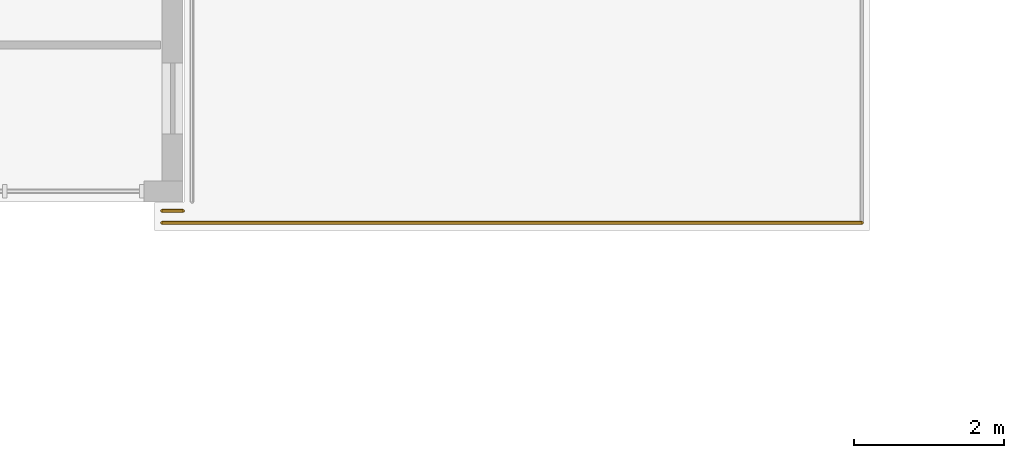
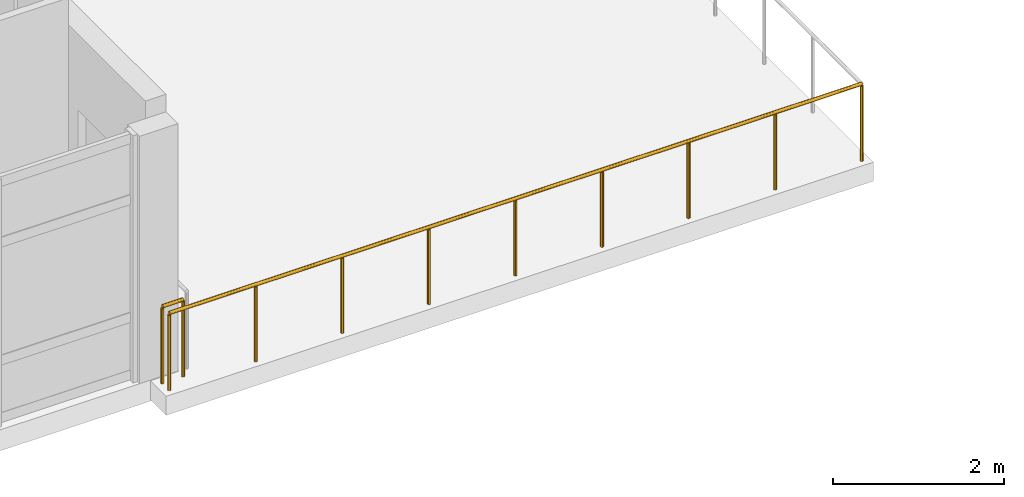
# One storey, part 45 of 50: 2 railings.
"""IFC4 building model written with IfcOpenShell, lengths in metres."""

from ifc_helpers import new_model, si_unit, direction, frame, origin, origin_2d, place, context, subcontext, project, spatial, circle, extrude, material, layer, layer_set, type_object, element, save


model = new_model("IFC4")

# Units and contexts
model_context = context("Model", 3, precision=1e-05, world=origin(), true_north=direction((0.0, 1.0)))
body_context = subcontext(model_context, "Body", "Model", "MODEL_VIEW")
ifc_project = project(units=[si_unit("LENGTHUNIT", "METRE"), si_unit("AREAUNIT", "SQUARE_METRE"), si_unit("VOLUMEUNIT", "CUBIC_METRE"), si_unit("PLANEANGLEUNIT", "RADIAN"), si_unit("MASSUNIT", "GRAM", prefix="KILO")], contexts=[model_context])

# Site, building, storey
site_placement = place(None, origin())
site = spatial("IfcSite", under=ifc_project, at=site_placement, CompositionType="ELEMENT")
building_placement = place(site_placement, origin())
building = spatial("IfcBuilding", under=site, at=building_placement, Name="Kolvaren Faculty of Natural Sciences", CompositionType="ELEMENT")
storey_placement = place(building_placement, frame((0.0, 0.0, 15.0)))
storey = spatial("IfcBuildingStorey", under=building, at=storey_placement, Name="L03", CompositionType="ELEMENT", Elevation=15.0)

# Railings
ifc_material = material(Name="Structural steel EN 10210-1 S355J2H", Category="steel")
ifc_layer = layer(ifc_material, 0.048095703125)
ifc_layer_set = layer_set([ifc_layer], Name="Structural steel EN 10210-1 S355J2H")
railing_type = type_object("IfcRailingType", Name="GuardRailing_GRD110", PredefinedType="BALUSTRADE", material=ifc_layer_set)
railing_1_placement = place(storey_placement, frame((105.52001953125, 72.080078125, 0.0)))
element("IfcRailing", 1, at=railing_1_placement, inside=storey, type_object=railing_type, Name="L03 Atrium East Roof Terrace perimeter balustrade 4", PredefinedType="BALUSTRADE", context=body_context, shape_type="SweptSolid", body=[
    extrude(circle(Radius=0.02392578125, at=origin_2d()), frame((0.0, 0.0, 1.09619140625), z_axis=(1.0, 0.0, 0.0), x_axis=(0.0, 1.0, 0.0)), (0.0, 0.0, 1.0), 0.280029296875),
    extrude(circle(Radius=0.02099609375, at=origin_2d()), origin(), (0.0, 0.0, 1.0), 1.072021484375),
    extrude(circle(Radius=0.02099609375, at=origin_2d()), frame((0.280029296875, 0.0, 0.0)), (0.0, 0.0, 1.0), 1.072021484375),
])
railing_2_placement = place(storey_placement, frame((114.8798828125, 71.919921875, 0.0)))
element("IfcRailing", 2, at=railing_2_placement, inside=storey, type_object=railing_type, Name="L03 Atrium East Roof Terrace perimeter balustrade 9", PredefinedType="BALUSTRADE", context=body_context, shape_type="SweptSolid", body=[
    extrude(circle(Radius=0.02392578125, at=origin_2d()), frame((0.0, 0.0, 1.09619140625), z_axis=(-1.0, 0.0, 0.0), x_axis=(0.0, -1.0, 0.0)), (0.0, 0.0, 1.0), 9.35986328125),
    extrude(circle(Radius=0.02099609375, at=origin_2d()), origin(), (0.0, 0.0, 1.0), 1.072021484375),
    extrude(circle(Radius=0.02099609375, at=origin_2d()), frame((-1.169921875, 0.0, 0.0)), (0.0, 0.0, 1.0), 1.072021484375),
    extrude(circle(Radius=0.02099609375, at=origin_2d()), frame((-2.33984375, 0.0, 0.0)), (0.0, 0.0, 1.0), 1.072021484375),
    extrude(circle(Radius=0.02099609375, at=origin_2d()), frame((-3.510009765625, 0.0, 0.0)), (0.0, 0.0, 1.0), 1.072021484375),
    extrude(circle(Radius=0.02099609375, at=origin_2d()), frame((-4.679931640625, 0.0, 0.0)), (0.0, 0.0, 1.0), 1.072021484375),
    extrude(circle(Radius=0.02099609375, at=origin_2d()), frame((-5.849853515625, 0.0, 0.0)), (0.0, 0.0, 1.0), 1.072021484375),
    extrude(circle(Radius=0.02099609375, at=origin_2d()), frame((-7.02001953125, 0.0, 0.0)), (0.0, 0.0, 1.0), 1.072021484375),
    extrude(circle(Radius=0.02099609375, at=origin_2d()), frame((-8.18994140625, 0.0, 0.0)), (0.0, 0.0, 1.0), 1.072021484375),
    extrude(circle(Radius=0.02099609375, at=origin_2d()), frame((-9.35986328125, 0.0, 0.0)), (0.0, 0.0, 1.0), 1.072021484375),
])

save(model, "model.ifc")
